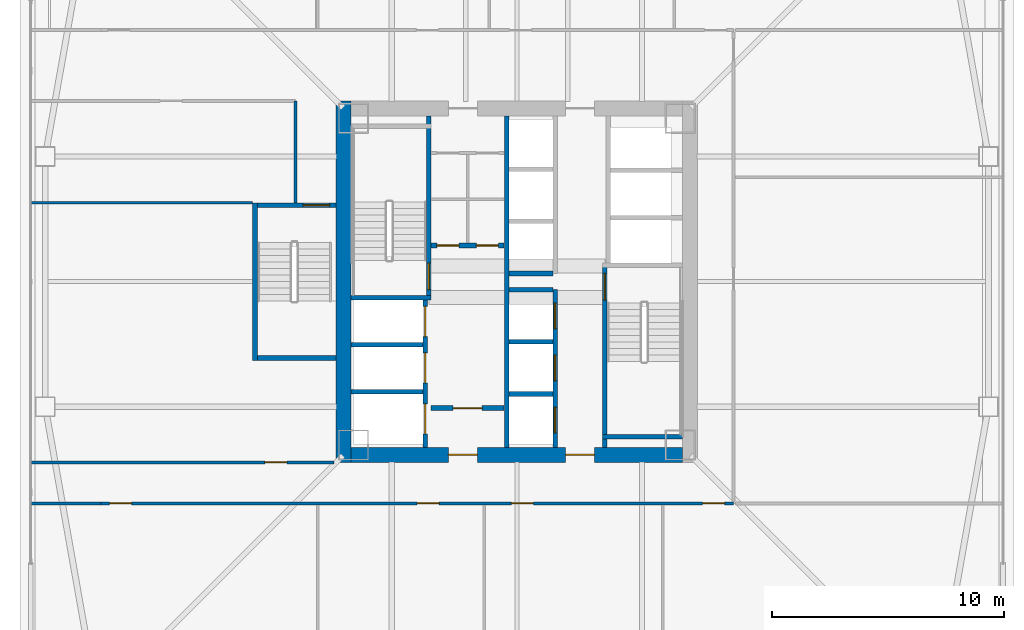
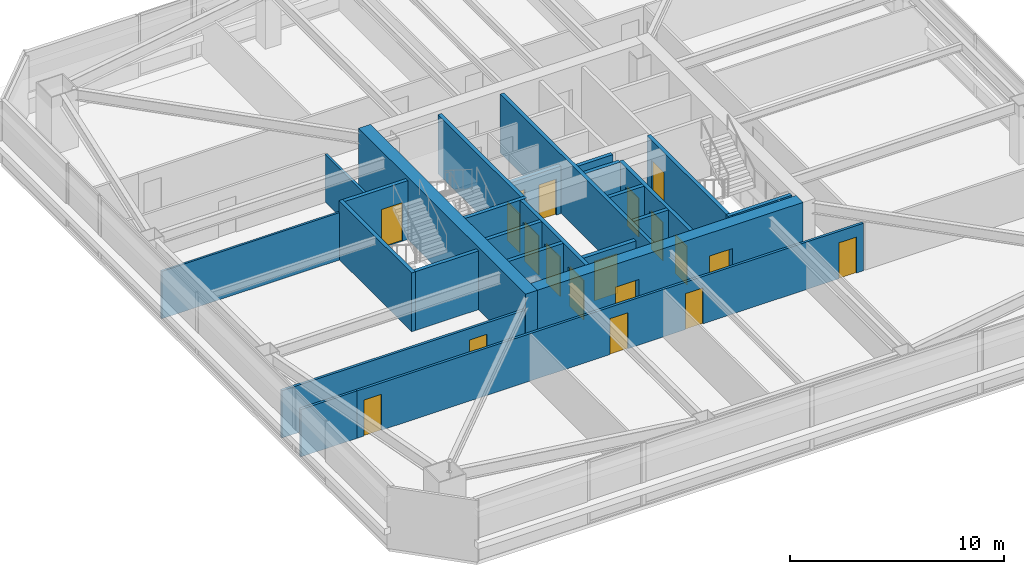
# One storey, part 33 of 44: 25 walls, 19 doors, 19 openings.
"""IFC4 building model written with IfcOpenShell, lengths in metres."""

from ifc_helpers import new_model, si_unit, direction, frame, frame_2d, origin, place, context, subcontext, project, spatial, rectangle, extrude, material, layer, layer_set, type_object, element, fill, save


model = new_model("IFC4")

# Units and contexts
model_context = context("Model", 3, precision=1e-05, world=origin(), true_north=direction((0.0, 1.0)))
body_context = subcontext(model_context, "Body", "Model", "MODEL_VIEW")
ifc_project = project(units=[si_unit("LENGTHUNIT", "METRE"), si_unit("AREAUNIT", "SQUARE_METRE"), si_unit("VOLUMEUNIT", "CUBIC_METRE"), si_unit("PLANEANGLEUNIT", "RADIAN"), si_unit("MASSUNIT", "GRAM", prefix="KILO")], contexts=[model_context])

# Site, building, storey
site_placement = place(None, origin())
site = spatial("IfcSite", under=ifc_project, at=site_placement, CompositionType="ELEMENT")
building_placement = place(site_placement, origin())
building = spatial("IfcBuilding", under=site, at=building_placement, Name="Tashvorn Skyway Center", CompositionType="ELEMENT")
storey_placement = place(building_placement, frame((0.0, 0.0, 74.300048828125)))
storey = spatial("IfcBuildingStorey", under=building, at=storey_placement, Name="L19", CompositionType="ELEMENT", Elevation=74.300048828125)

# Wall
ifc_material_1 = material(Name="Concrete C60/75", Category="concrete")
ifc_layer_1 = layer(ifc_material_1, 0.64990234375)
ifc_layer_set_1 = layer_set([ifc_layer_1], Name="Concrete C60/75")
wall_type_1 = type_object("IfcWallType", Name="WALL-CORE-650", PredefinedType="SHEAR", material=ifc_layer_set_1)
wall_1_placement = place(storey_placement, frame((34.52490234375, 24.199951171875, 0.0), z_axis=(0.0, 0.0, 1.0), x_axis=(0.0, 1.0, 0.0)))
element("IfcWall", 1, at=wall_1_placement, inside=storey, type_object=wall_type_1, Name="Tower 1 L19 West Core Shear Wall", PredefinedType="SHEAR", context=body_context, shape_type="SweptSolid", body=[
    extrude(rectangle(XDim=15.60009765625, YDim=0.64990234375, at=frame_2d((7.800048828125, 0.0))), origin(), (0.0, 0.0, 1.0), 3.550048828125),
])

# Wall, openings, doors
wall_2_placement = place(storey_placement, frame((49.14990234375, 24.52490234375, 0.0), z_axis=(0.0, 0.0, 1.0), x_axis=(-1.0, 0.0, 0.0)))
wall_2 = element("IfcWall", 2, at=wall_2_placement, inside=storey, type_object=wall_type_1, Name="Tower 1 L19 South Core Shear Wall", PredefinedType="SHEAR", context=body_context, shape_type="SweptSolid", body=[
    extrude(rectangle(XDim=14.2998046875, YDim=0.64990234375, at=frame_2d((7.14990234375, 0.0))), origin(), (0.0, 0.0, 1.0), 3.550048828125),
])
opening_1_placement = place(wall_2_placement, frame((8.85009765625, 0.0, 0.0)))
opening_1 = element("IfcOpeningElement", 3, at=opening_1_placement, cuts=wall_2, Name="Opening D-FFL-1250", PredefinedType="OPENING", context=body_context, shape_type="SweptSolid", body=[
    extrude(rectangle(XDim=1.25, YDim=2.25, at=frame_2d((0.625, 1.125))), frame((0.0, 0.3349609375, 0.0), z_axis=(0.0, -1.0, 0.0), x_axis=(1.0, 0.0, 0.0)), (0.0, 0.0, 1.0), 0.669921875),
])
opening_2_placement = place(wall_2_placement, frame((3.800048828125, 0.0, 0.0)))
opening_2 = element("IfcOpeningElement", 4, at=opening_2_placement, cuts=wall_2, Name="Opening D-FFL-1250", PredefinedType="OPENING", context=body_context, shape_type="SweptSolid", body=[
    extrude(rectangle(XDim=1.25, YDim=2.25, at=frame_2d((0.625, 1.125))), frame((0.0, 0.3349609375, 0.0), z_axis=(0.0, -1.0, 0.0), x_axis=(1.0, 0.0, 0.0)), (0.0, 0.0, 1.0), 0.669921875),
])
ifc_material_2 = material(Name="Hollow galvanized steel fire door assembly", Category="steel")
door_type_1 = type_object("IfcDoorType", Name="DOOR-FFL-1250", OperationType="NOTDEFINED", PredefinedType="DOOR", material=ifc_material_2)
door_1_placement = place(opening_1_placement, origin())
door_1 = element("IfcDoor", 5, at=door_1_placement, inside=storey, type_object=door_type_1, Name="Tower 1 L19 Core South Firefighting Exit Door", OperationType="SINGLE_SWING_LEFT", OverallHeight=2.25, OverallWidth=1.25, PredefinedType="DOOR", context=body_context, shape_type="SweptSolid", body=[
    extrude(rectangle(XDim=1.25, YDim=2.25, at=frame_2d((0.625, 1.125))), frame((0.0, 0.02490234375, 0.0), z_axis=(0.0, -1.0, 0.0), x_axis=(1.0, 0.0, 0.0)), (0.0, 0.0, 1.0), 0.050048828125),
])
fill(opening_1, door_1)
door_2_placement = place(opening_2_placement, origin())
door_2 = element("IfcDoor", 6, at=door_2_placement, inside=storey, type_object=door_type_1, Name="Tower 1 L19 Core South Lift Lobby Door", OperationType="SINGLE_SWING_RIGHT", OverallHeight=2.25, OverallWidth=1.25, PredefinedType="DOOR", context=body_context, shape_type="SweptSolid", body=[
    extrude(rectangle(XDim=1.25, YDim=2.25, at=frame_2d((0.625, 1.125))), frame((0.0, 0.02490234375, 0.0), z_axis=(0.0, -1.0, 0.0), x_axis=(1.0, 0.0, 0.0)), (0.0, 0.0, 1.0), 0.050048828125),
])
fill(opening_2, door_2)

ifc_material_3 = material(Name="Concrete C40/50", Category="concrete")
ifc_layer_2 = layer(ifc_material_3, 0.219970703125)
ifc_layer_set_2 = layer_set([ifc_layer_2], Name="Concrete C40/50")
wall_type_2 = type_object("IfcWallType", Name="WALL-FFL-220", PredefinedType="SOLIDWALL", material=ifc_layer_set_2)
wall_3_placement = place(storey_placement, frame((38.300048828125, 33.56005859375, 0.0), z_axis=(0.0, 0.0, 1.0), x_axis=(1.0, 0.0, 0.0)))
wall_3 = element("IfcWall", 7, at=wall_3_placement, inside=storey, type_object=wall_type_2, Name="Tower 1 L19 Firefighting Lobby North Wall", PredefinedType="SOLIDWALL", context=body_context, shape_type="SweptSolid", body=[
    extrude(rectangle(XDim=3.14990234375, YDim=0.219970703125, at=frame_2d((1.574951171875, 0.0))), origin(), (0.0, 0.0, 1.0), 2.702880859375),
])
opening_3_placement = place(wall_3_placement, frame((0.25, 0.0, 0.0)))
opening_3 = element("IfcOpeningElement", 8, at=opening_3_placement, cuts=wall_3, Name="Opening D-RT-950", PredefinedType="OPENING", context=body_context, shape_type="SweptSolid", body=[
    extrude(rectangle(XDim=0.949951171875, YDim=2.050048828125, at=frame_2d((0.47509765625, 1.02490234375))), frame((0.0, 0.119873046875, 0.0), z_axis=(0.0, -1.0, 0.0), x_axis=(1.0, 0.0, 0.0)), (0.0, 0.0, 1.0), 0.239990234375),
])
opening_4_placement = place(wall_3_placement, frame((1.949951171875, 0.0, 0.0)))
opening_4 = element("IfcOpeningElement", 9, at=opening_4_placement, cuts=wall_3, Name="Opening D-RT-950", PredefinedType="OPENING", context=body_context, shape_type="SweptSolid", body=[
    extrude(rectangle(XDim=0.949951171875, YDim=2.050048828125, at=frame_2d((0.47509765625, 1.02490234375))), frame((0.0, 0.119873046875, 0.0), z_axis=(0.0, -1.0, 0.0), x_axis=(1.0, 0.0, 0.0)), (0.0, 0.0, 1.0), 0.239990234375),
])
door_type_2 = type_object("IfcDoorType", Name="DOOR-RATED-950", OperationType="NOTDEFINED", PredefinedType="DOOR", material=ifc_material_2)
door_3_placement = place(opening_3_placement, origin())
door_3 = element("IfcDoor", 10, at=door_3_placement, inside=storey, type_object=door_type_2, Name="Tower 1 L19 Core Mail Room Door", OperationType="SINGLE_SWING_LEFT", OverallHeight=2.050048828125, OverallWidth=0.949951171875, PredefinedType="DOOR", context=body_context, shape_type="SweptSolid", body=[
    extrude(rectangle(XDim=0.949951171875, YDim=2.050048828125, at=frame_2d((0.47509765625, 1.02490234375))), frame((0.0, 0.02490234375, 0.0), z_axis=(0.0, -1.0, 0.0), x_axis=(1.0, 0.0, 0.0)), (0.0, 0.0, 1.0), 0.050048828125),
])
fill(opening_3, door_3)
door_4_placement = place(opening_4_placement, origin())
door_4 = element("IfcDoor", 11, at=door_4_placement, inside=storey, type_object=door_type_2, Name="Tower 1 L19 Core Supply Closet Door", OperationType="SINGLE_SWING_RIGHT", OverallHeight=2.050048828125, OverallWidth=0.949951171875, PredefinedType="DOOR", context=body_context, shape_type="SweptSolid", body=[
    extrude(rectangle(XDim=0.949951171875, YDim=2.050048828125, at=frame_2d((0.47509765625, 1.02490234375))), frame((0.0, 0.02490234375, 0.0), z_axis=(0.0, -1.0, 0.0), x_axis=(1.0, 0.0, 0.0)), (0.0, 0.0, 1.0), 0.050048828125),
])
fill(opening_4, door_4)

# Wall, opening, door
wall_4_placement = place(storey_placement, frame((38.300048828125, 26.5400390625, 0.0), z_axis=(0.0, 0.0, 1.0), x_axis=(1.0, 0.0, 0.0)))
wall_4 = element("IfcWall", 12, at=wall_4_placement, inside=storey, type_object=wall_type_2, Name="Tower 1 L19 Firefighting Lobby South Wall", PredefinedType="SOLIDWALL", context=body_context, shape_type="SweptSolid", body=[
    extrude(rectangle(XDim=3.14990234375, YDim=0.219970703125, at=frame_2d((1.574951171875, 0.0))), origin(), (0.0, 0.0, 1.0), 2.702880859375),
])
opening_5_placement = place(wall_4_placement, frame((0.949951171875, 0.0, 0.0)))
opening_5 = element("IfcOpeningElement", 13, at=opening_5_placement, cuts=wall_4, Name="Opening D-FFL-1250", PredefinedType="OPENING", context=body_context, shape_type="SweptSolid", body=[
    extrude(rectangle(XDim=1.25, YDim=2.25, at=frame_2d((0.625, 1.125))), frame((0.0, 0.119873046875, 0.0), z_axis=(0.0, -1.0, 0.0), x_axis=(1.0, 0.0, 0.0)), (0.0, 0.0, 1.0), 0.239990234375),
])
door_5_placement = place(opening_5_placement, origin())
door_5 = element("IfcDoor", 14, at=door_5_placement, inside=storey, type_object=door_type_1, Name="Tower 1 L19 Firefighting Lobby Egress Door", OperationType="SINGLE_SWING_LEFT", OverallHeight=2.25, OverallWidth=1.25, PredefinedType="DOOR", context=body_context, shape_type="SweptSolid", body=[
    extrude(rectangle(XDim=1.25, YDim=2.25, at=frame_2d((0.625, 1.125))), frame((0.0, 0.02490234375, 0.0), z_axis=(0.0, -1.0, 0.0), x_axis=(1.0, 0.0, 0.0)), (0.0, 0.0, 1.0), 0.050048828125),
])
fill(opening_5, door_5)

# Walls
ifc_material_4 = material(Name="Gypsum board on cold-formed steel stud framing", Category="steel")
ifc_layer_3 = layer(ifc_material_4, 0.110107421875)
ifc_layer_set_3 = layer_set([ifc_layer_3], Name="Gypsum board on cold-formed steel stud framing")
wall_type_3 = type_object("IfcWallType", Name="WALL-PART-110", PredefinedType="PARTITIONING", material=ifc_layer_set_3)
wall_5_placement = place(storey_placement, frame((30.60009765625, 35.39990234375, 0.0), z_axis=(0.0, 0.0, 1.0), x_axis=(-1.0, 0.0, 0.0)))
element("IfcWall", 15, at=wall_5_placement, inside=storey, type_object=wall_type_3, Name="Tower 1 L19 West Suite Partition 1", PredefinedType="PARTITIONING", context=body_context, shape_type="SweptSolid", body=[
    extrude(rectangle(XDim=9.580078125, YDim=0.110107421875, at=frame_2d((4.7900390625, 0.0))), origin(), (0.0, 0.0, 1.0), 2.702880859375),
])
ifc_layer_4 = layer(ifc_material_4, 0.135009765625)
ifc_layer_set_4 = layer_set([ifc_layer_4], Name="Gypsum board on cold-formed steel stud framing")
wall_type_4 = type_object("IfcWallType", Name="WALL-PART-135", PredefinedType="PARTITIONING", material=ifc_layer_set_4)
wall_6_placement = place(storey_placement, frame((32.449951171875, 35.39990234375, 0.0), z_axis=(0.0, 0.0, 1.0), x_axis=(0.0, 1.0, 0.0)))
element("IfcWall", 16, at=wall_6_placement, inside=storey, type_object=wall_type_4, Name="Tower 1 L19 Stair 3 Access Corridor Wall", PredefinedType="PARTITIONING", context=body_context, shape_type="SweptSolid", body=[
    extrude(rectangle(XDim=4.400146484375, YDim=0.135009765625, at=frame_2d((2.2001953125, 0.0))), origin(), (0.0, 0.0, 1.0), 2.702880859375),
])

# Wall, openings, doors
wall_7_placement = place(storey_placement, frame((51.35009765625, 22.429931640625, 0.0), z_axis=(0.0, 0.0, 1.0), x_axis=(-1.0, 0.0, 0.0)))
wall_7 = element("IfcWall", 17, at=wall_7_placement, inside=storey, type_object=wall_type_4, Name="Tower 1 L19 South Suite Wall", PredefinedType="PARTITIONING", context=body_context, shape_type="SweptSolid", body=[
    extrude(rectangle(XDim=27.300048828125, YDim=0.135009765625, at=frame_2d((13.64990234375, 0.0))), origin(), (0.0, 0.0, 1.0), 2.702880859375),
])
opening_6_placement = place(wall_7_placement, frame((25.969970703125, 0.0, 0.0)))
opening_6 = element("IfcOpeningElement", 18, at=opening_6_placement, cuts=wall_7, Name="Opening D-INT-950", PredefinedType="OPENING", context=body_context, shape_type="SweptSolid", body=[
    extrude(rectangle(XDim=0.949951171875, YDim=2.050048828125, at=frame_2d((0.47509765625, 1.02490234375))), frame((0.0, 0.077392578125, 0.0), z_axis=(0.0, -1.0, 0.0), x_axis=(1.0, 0.0, 0.0)), (0.0, 0.0, 1.0), 0.155029296875),
])
opening_7_placement = place(wall_7_placement, frame((12.698486328125, 0.0, 0.0)))
opening_7 = element("IfcOpeningElement", 19, at=opening_7_placement, cuts=wall_7, Name="Opening D-INT-950", PredefinedType="OPENING", context=body_context, shape_type="SweptSolid", body=[
    extrude(rectangle(XDim=0.949951171875, YDim=2.050048828125, at=frame_2d((0.47509765625, 1.02490234375))), frame((0.0, 0.077392578125, 0.0), z_axis=(0.0, -1.0, 0.0), x_axis=(1.0, 0.0, 0.0)), (0.0, 0.0, 1.0), 0.155029296875),
])
opening_8_placement = place(wall_7_placement, frame((8.638671875, 0.0, 0.0)))
opening_8 = element("IfcOpeningElement", 20, at=opening_8_placement, cuts=wall_7, Name="Opening D-INT-950", PredefinedType="OPENING", context=body_context, shape_type="SweptSolid", body=[
    extrude(rectangle(XDim=0.949951171875, YDim=2.050048828125, at=frame_2d((0.47509765625, 1.02490234375))), frame((0.0, 0.077392578125, 0.0), z_axis=(0.0, -1.0, 0.0), x_axis=(1.0, 0.0, 0.0)), (0.0, 0.0, 1.0), 0.155029296875),
])
opening_9_placement = place(wall_7_placement, frame((0.3798828125, 0.0, 0.0)))
opening_9 = element("IfcOpeningElement", 21, at=opening_9_placement, cuts=wall_7, Name="Opening D-INT-950", PredefinedType="OPENING", context=body_context, shape_type="SweptSolid", body=[
    extrude(rectangle(XDim=0.949951171875, YDim=2.050048828125, at=frame_2d((0.47509765625, 1.02490234375))), frame((0.0, 0.077392578125, 0.0), z_axis=(0.0, -1.0, 0.0), x_axis=(1.0, 0.0, 0.0)), (0.0, 0.0, 1.0), 0.155029296875),
])
ifc_material_5 = material(Name="Solid-core architectural oak veneer door")
door_type_3 = type_object("IfcDoorType", Name="DOOR-INT-950", OperationType="NOTDEFINED", PredefinedType="DOOR", material=ifc_material_5)
door_6_placement = place(opening_6_placement, origin())
door_6 = element("IfcDoor", 22, at=door_6_placement, inside=storey, type_object=door_type_3, Name="Tower 1 L19 Conference Room Door", OperationType="SINGLE_SWING_RIGHT", OverallHeight=2.050048828125, OverallWidth=0.949951171875, PredefinedType="DOOR", context=body_context, shape_type="SweptSolid", body=[
    extrude(rectangle(XDim=0.949951171875, YDim=2.050048828125, at=frame_2d((0.47509765625, 1.02490234375))), frame((0.0, 0.02490234375, 0.0), z_axis=(0.0, -1.0, 0.0), x_axis=(1.0, 0.0, 0.0)), (0.0, 0.0, 1.0), 0.050048828125),
])
fill(opening_6, door_6)
door_7_placement = place(opening_7_placement, origin())
door_7 = element("IfcDoor", 23, at=door_7_placement, inside=storey, type_object=door_type_3, Name="Tower 1 L19 Boardroom Door", OperationType="SINGLE_SWING_LEFT", OverallHeight=2.050048828125, OverallWidth=0.949951171875, PredefinedType="DOOR", context=body_context, shape_type="SweptSolid", body=[
    extrude(rectangle(XDim=0.949951171875, YDim=2.050048828125, at=frame_2d((0.47509765625, 1.02490234375))), frame((0.0, 0.02490234375, 0.0), z_axis=(0.0, -1.0, 0.0), x_axis=(1.0, 0.0, 0.0)), (0.0, 0.0, 1.0), 0.050048828125),
])
fill(opening_7, door_7)
door_8_placement = place(opening_8_placement, origin())
door_8 = element("IfcDoor", 24, at=door_8_placement, inside=storey, type_object=door_type_3, Name="Tower 1 L19 Boardroom Door", OperationType="SINGLE_SWING_RIGHT", OverallHeight=2.050048828125, OverallWidth=0.949951171875, PredefinedType="DOOR", context=body_context, shape_type="SweptSolid", body=[
    extrude(rectangle(XDim=0.949951171875, YDim=2.050048828125, at=frame_2d((0.47509765625, 1.02490234375))), frame((0.0, 0.02490234375, 0.0), z_axis=(0.0, -1.0, 0.0), x_axis=(1.0, 0.0, 0.0)), (0.0, 0.0, 1.0), 0.050048828125),
])
fill(opening_8, door_8)
door_9_placement = place(opening_9_placement, origin())
door_9 = element("IfcDoor", 25, at=door_9_placement, inside=storey, type_object=door_type_3, Name="Tower 1 L19 Catering Pantry Door", OperationType="SINGLE_SWING_LEFT", OverallHeight=2.050048828125, OverallWidth=0.949951171875, PredefinedType="DOOR", context=body_context, shape_type="SweptSolid", body=[
    extrude(rectangle(XDim=0.949951171875, YDim=2.050048828125, at=frame_2d((0.47509765625, 1.02490234375))), frame((0.0, 0.02490234375, 0.0), z_axis=(0.0, -1.0, 0.0), x_axis=(1.0, 0.0, 0.0)), (0.0, 0.0, 1.0), 0.050048828125),
])
fill(opening_9, door_9)

# Wall
wall_8_placement = place(storey_placement, frame((21.02001953125, 22.429931640625, 0.0), z_axis=(0.0, 0.0, 1.0), x_axis=(1.0, 0.0, 0.0)))
element("IfcWall", 26, at=wall_8_placement, inside=storey, type_object=wall_type_4, Name="Tower 1 L19 South-West Suite North Wall", PredefinedType="PARTITIONING", context=body_context, shape_type="SweptSolid", body=[
    extrude(rectangle(XDim=3.030029296875, YDim=0.135009765625, at=frame_2d((1.51513671875, 0.0))), origin(), (0.0, 0.0, 1.0), 2.702880859375),
])

# Wall, opening, door
wall_9_placement = place(storey_placement, frame((21.02001953125, 24.199951171875, 0.0), z_axis=(0.0, 0.0, 1.0), x_axis=(1.0, 0.0, 0.0)))
wall_9 = element("IfcWall", 27, at=wall_9_placement, inside=storey, type_object=wall_type_4, Name="Tower 1 L19 West Suite South Wall", PredefinedType="PARTITIONING", context=body_context, shape_type="SweptSolid", body=[
    extrude(rectangle(XDim=13.10009765625, YDim=0.135009765625, at=frame_2d((6.550048828125, 0.0))), origin(), (0.0, 0.0, 1.0), 2.702880859375),
])
opening_10_placement = place(wall_9_placement, frame((10.10498046875, 0.0, 0.0)))
opening_10 = element("IfcOpeningElement", 28, at=opening_10_placement, cuts=wall_9, Name="Opening D-INT-950", PredefinedType="OPENING", context=body_context, shape_type="SweptSolid", body=[
    extrude(rectangle(XDim=0.949951171875, YDim=2.050048828125, at=frame_2d((0.47509765625, 1.02490234375))), frame((0.0, 0.077392578125, 0.0), z_axis=(0.0, -1.0, 0.0), x_axis=(1.0, 0.0, 0.0)), (0.0, 0.0, 1.0), 0.155029296875),
])
door_10_placement = place(opening_10_placement, origin())
door_10 = element("IfcDoor", 29, at=door_10_placement, inside=storey, type_object=door_type_3, Name="Tower 1 L19 Public Restroom Door", OperationType="SINGLE_SWING_LEFT", OverallHeight=2.050048828125, OverallWidth=0.949951171875, PredefinedType="DOOR", context=body_context, shape_type="SweptSolid", body=[
    extrude(rectangle(XDim=0.949951171875, YDim=2.050048828125, at=frame_2d((0.47509765625, 1.02490234375))), frame((0.0, 0.02490234375, 0.0), z_axis=(0.0, -1.0, 0.0), x_axis=(1.0, 0.0, 0.0)), (0.0, 0.0, 1.0), 0.050048828125),
])
fill(opening_10, door_10)

# Walls
ifc_layer_5 = layer(ifc_material_3, 0.199951171875)
ifc_layer_set_5 = layer_set([ifc_layer_5], Name="Concrete C40/50")
wall_type_5 = type_object("IfcWallType", Name="WALL-SHAFT-200", PredefinedType="SOLIDWALL", material=ifc_layer_set_5)
for number, where, z_axis, x_axis, name in (
    (30, (34.85009765625, 27.25, 0.0), (0.0, 0.0, 1.0), (1.0, 0.0, 0.0), "Tower 1 L19 FSAE Shaft Divider"),
    (31, (34.85009765625, 29.280029296875, 0.0), (0.0, 0.0, 1.0), (1.0, 0.0, 0.0), "Tower 1 L19 FSAE Shaft Divider"),
):
    element("IfcWall", number, at=place(storey_placement, frame(where, z_axis=z_axis, x_axis=x_axis)), inside=storey, type_object=wall_type_5, Name=name, PredefinedType="SOLIDWALL", context=body_context, shape_type="SweptSolid", body=[
        extrude(rectangle(XDim=3.099853515625, YDim=0.199951171875, at=frame_2d((1.5498046875, 0.0))), origin(), (0.0, 0.0, 1.0), 3.349853515625),
    ])

# Wall, openings, doors
wall_10_placement = place(storey_placement, frame((43.64990234375, 24.85009765625, 0.0), z_axis=(0.0, 0.0, 1.0), x_axis=(0.0, 1.0, 0.0)))
wall_10 = element("IfcWall", 32, at=wall_10_placement, inside=storey, type_object=wall_type_5, Name="Tower 1 L19 Low-Rise Core Wall", PredefinedType="SOLIDWALL", context=body_context, shape_type="SweptSolid", body=[
    extrude(rectangle(XDim=6.7998046875, YDim=0.199951171875, at=frame_2d((3.39990234375, 0.0))), origin(), (0.0, 0.0, 1.0), 3.349853515625),
])
opening_11_placement = place(wall_10_placement, frame((0.625, 0.0, 0.0)))
opening_11 = element("IfcOpeningElement", 33, at=opening_11_placement, cuts=wall_10, Name="Opening LD-LR-T1-1-L19", PredefinedType="OPENING", context=body_context, shape_type="SweptSolid", body=[
    extrude(rectangle(XDim=1.10009765625, YDim=2.199951171875, at=frame_2d((0.550048828125, 1.10009765625))), frame((0.0, 0.10986328125, 0.0), z_axis=(0.0, -1.0, 0.0), x_axis=(1.0, 0.0, 0.0)), (0.0, 0.0, 1.0), 0.219970703125),
])
opening_12_placement = place(wall_10_placement, frame((2.875, 0.0, 0.0)))
opening_12 = element("IfcOpeningElement", 34, at=opening_12_placement, cuts=wall_10, Name="Opening LD-LR-T1-2-L19", PredefinedType="OPENING", context=body_context, shape_type="SweptSolid", body=[
    extrude(rectangle(XDim=1.10009765625, YDim=2.199951171875, at=frame_2d((0.550048828125, 1.10009765625))), frame((0.0, 0.10986328125, 0.0), z_axis=(0.0, -1.0, 0.0), x_axis=(1.0, 0.0, 0.0)), (0.0, 0.0, 1.0), 0.219970703125),
])
opening_13_placement = place(wall_10_placement, frame((5.125, 0.0, 0.0)))
opening_13 = element("IfcOpeningElement", 35, at=opening_13_placement, cuts=wall_10, Name="Opening LD-LR-T1-3-L19", PredefinedType="OPENING", context=body_context, shape_type="SweptSolid", body=[
    extrude(rectangle(XDim=1.10009765625, YDim=2.199951171875, at=frame_2d((0.550048828125, 1.10009765625))), frame((0.0, 0.10986328125, 0.0), z_axis=(0.0, -1.0, 0.0), x_axis=(1.0, 0.0, 0.0)), (0.0, 0.0, 1.0), 0.219970703125),
])
ifc_material_6 = material(Name="Stainless steel landing door", Category="steel")
door_type_4 = type_object("IfcDoorType", Name="DOOR-LIFT-1100", OperationType="SLIDING_TO_LEFT", PredefinedType="DOOR", material=ifc_material_6)
door_11_placement = place(opening_11_placement, origin())
door_11 = element("IfcDoor", 36, at=door_11_placement, inside=storey, type_object=door_type_4, Name="Lift LR-T1-1 L19 Landing Door", OperationType="SLIDING_TO_LEFT", OverallHeight=2.199951171875, OverallWidth=1.10009765625, PredefinedType="DOOR", context=body_context, shape_type="SweptSolid", body=[
    extrude(rectangle(XDim=1.10009765625, YDim=2.199951171875, at=frame_2d((0.550048828125, 1.10009765625))), frame((0.0, 0.02490234375, 0.0), z_axis=(0.0, -1.0, 0.0), x_axis=(1.0, 0.0, 0.0)), (0.0, 0.0, 1.0), 0.050048828125),
])
fill(opening_11, door_11)
door_12_placement = place(opening_12_placement, origin())
door_12 = element("IfcDoor", 37, at=door_12_placement, inside=storey, type_object=door_type_4, Name="Lift LR-T1-2 L19 Landing Door", OperationType="SLIDING_TO_LEFT", OverallHeight=2.199951171875, OverallWidth=1.10009765625, PredefinedType="DOOR", context=body_context, shape_type="SweptSolid", body=[
    extrude(rectangle(XDim=1.10009765625, YDim=2.199951171875, at=frame_2d((0.550048828125, 1.10009765625))), frame((0.0, 0.02490234375, 0.0), z_axis=(0.0, -1.0, 0.0), x_axis=(1.0, 0.0, 0.0)), (0.0, 0.0, 1.0), 0.050048828125),
])
fill(opening_12, door_12)
door_13_placement = place(opening_13_placement, origin())
door_13 = element("IfcDoor", 38, at=door_13_placement, inside=storey, type_object=door_type_4, Name="Lift LR-T1-3 L19 Landing Door", OperationType="SLIDING_TO_LEFT", OverallHeight=2.199951171875, OverallWidth=1.10009765625, PredefinedType="DOOR", context=body_context, shape_type="SweptSolid", body=[
    extrude(rectangle(XDim=1.10009765625, YDim=2.199951171875, at=frame_2d((0.550048828125, 1.10009765625))), frame((0.0, 0.02490234375, 0.0), z_axis=(0.0, -1.0, 0.0), x_axis=(1.0, 0.0, 0.0)), (0.0, 0.0, 1.0), 0.050048828125),
])
fill(opening_13, door_13)

# Walls
for number, where, z_axis, x_axis, name in (
    (39, (41.669921875, 27.14990234375, 0.0), (0.0, 0.0, 1.0), (1.0, 0.0, 0.0), "Tower 1 L19 Low-Rise Shaft Divider"),
    (40, (41.669921875, 29.39990234375, 0.0), (0.0, 0.0, 1.0), (1.0, 0.0, 0.0), "Tower 1 L19 Low-Rise Shaft Divider"),
    (41, (41.669921875, 31.64990234375, 0.0), (0.0, 0.0, 1.0), (1.0, 0.0, 0.0), "Tower 1 L19 Low-Rise Shaft Divider"),
    (42, (41.669921875, 32.35009765625, 0.0), (0.0, 0.0, 1.0), (1.0, 0.0, 0.0), "Tower 1 L19 Mid-Rise Shaft Divider"),
):
    element("IfcWall", number, at=place(storey_placement, frame(where, z_axis=z_axis, x_axis=x_axis)), inside=storey, type_object=wall_type_5, Name=name, PredefinedType="SOLIDWALL", context=body_context, shape_type="SweptSolid", body=[
        extrude(rectangle(XDim=1.880126953125, YDim=0.199951171875, at=frame_2d((0.93994140625, 0.0))), origin(), (0.0, 0.0, 1.0), 3.349853515625),
    ])

# Wall, opening, door
ifc_layer_6 = layer(ifc_material_3, 0.199951171875)
ifc_layer_set_6 = layer_set([ifc_layer_6], Name="Concrete C40/50")
wall_type_6 = type_object("IfcWallType", Name="WALL-STSHF-200", PredefinedType="SHEAR", material=ifc_layer_set_6)
wall_11_placement = place(storey_placement, frame((38.199951171875, 31.199951171875, 0.0), z_axis=(0.0, 0.0, 1.0), x_axis=(0.0, 1.0, 0.0)))
wall_11 = element("IfcWall", 43, at=wall_11_placement, inside=storey, type_object=wall_type_6, Name="Tower 1 L19 Stair 1 Enclosure Wall", PredefinedType="SHEAR", context=body_context, shape_type="SweptSolid", body=[
    extrude(rectangle(XDim=7.949951171875, YDim=0.199951171875, at=frame_2d((3.97509765625, 0.0))), origin(), (0.0, 0.0, 1.0), 3.349853515625),
])
opening_14_placement = place(wall_11_placement, frame((0.449951171875, 0.0, 0.0)))
opening_14 = element("IfcOpeningElement", 44, at=opening_14_placement, cuts=wall_11, Name="Opening D-ST-1150", PredefinedType="OPENING", context=body_context, shape_type="SweptSolid", body=[
    extrude(rectangle(XDim=1.14990234375, YDim=2.199951171875, at=frame_2d((0.574951171875, 1.10009765625))), frame((0.0, 0.10986328125, 0.0), z_axis=(0.0, -1.0, 0.0), x_axis=(1.0, 0.0, 0.0)), (0.0, 0.0, 1.0), 0.219970703125),
])
door_type_5 = type_object("IfcDoorType", Name="DOOR-STAIR-1150", OperationType="NOTDEFINED", PredefinedType="DOOR", material=ifc_material_2)
door_14_placement = place(opening_14_placement, origin())
door_14 = element("IfcDoor", 45, at=door_14_placement, inside=storey, type_object=door_type_5, Name="Tower 1 L19 Exit Stair 1 Door", OperationType="SINGLE_SWING_RIGHT", OverallHeight=2.199951171875, OverallWidth=1.14990234375, PredefinedType="DOOR", context=body_context, shape_type="SweptSolid", body=[
    extrude(rectangle(XDim=1.14990234375, YDim=2.199951171875, at=frame_2d((0.574951171875, 1.10009765625))), frame((0.0, 0.02490234375, 0.0), z_axis=(0.0, -1.0, 0.0), x_axis=(1.0, 0.0, 0.0)), (0.0, 0.0, 1.0), 0.050048828125),
])
fill(opening_14, door_14)

# Wall
wall_12_placement = place(storey_placement, frame((34.85009765625, 31.300048828125, 0.0), z_axis=(0.0, 0.0, 1.0), x_axis=(1.0, 0.0, 0.0)))
element("IfcWall", 46, at=wall_12_placement, inside=storey, type_object=wall_type_6, Name="Tower 1 L19 Stair 1 South Wall", PredefinedType="SHEAR", context=body_context, shape_type="SweptSolid", body=[
    extrude(rectangle(XDim=3.449951171875, YDim=0.199951171875, at=frame_2d((1.72509765625, 0.0))), origin(), (0.0, 0.0, 1.0), 3.349853515625),
])

# Wall, opening, door
wall_13_placement = place(storey_placement, frame((45.800048828125, 32.800048828125, 0.0), z_axis=(0.0, 0.0, 1.0), x_axis=(0.0, -1.0, 0.0)))
wall_13 = element("IfcWall", 47, at=wall_13_placement, inside=storey, type_object=wall_type_6, Name="Tower 1 L19 Stair 2 Enclosure Wall", PredefinedType="SHEAR", context=body_context, shape_type="SweptSolid", body=[
    extrude(rectangle(XDim=7.949951171875, YDim=0.199951171875, at=frame_2d((3.97509765625, 0.0))), origin(), (0.0, 0.0, 1.0), 3.349853515625),
])
opening_15_placement = place(wall_13_placement, frame((0.449951171875, 0.0, 0.0)))
opening_15 = element("IfcOpeningElement", 48, at=opening_15_placement, cuts=wall_13, Name="Opening D-ST-1150", PredefinedType="OPENING", context=body_context, shape_type="SweptSolid", body=[
    extrude(rectangle(XDim=1.14990234375, YDim=2.199951171875, at=frame_2d((0.574951171875, 1.10009765625))), frame((0.0, 0.10986328125, 0.0), z_axis=(0.0, -1.0, 0.0), x_axis=(1.0, 0.0, 0.0)), (0.0, 0.0, 1.0), 0.219970703125),
])
door_15_placement = place(opening_15_placement, origin())
door_15 = element("IfcDoor", 49, at=door_15_placement, inside=storey, type_object=door_type_5, Name="Tower 1 L19 Exit Stair 2 Door", OperationType="SINGLE_SWING_RIGHT", OverallHeight=2.199951171875, OverallWidth=1.14990234375, PredefinedType="DOOR", context=body_context, shape_type="SweptSolid", body=[
    extrude(rectangle(XDim=1.14990234375, YDim=2.199951171875, at=frame_2d((0.574951171875, 1.10009765625))), frame((0.0, 0.02490234375, 0.0), z_axis=(0.0, -1.0, 0.0), x_axis=(1.0, 0.0, 0.0)), (0.0, 0.0, 1.0), 0.050048828125),
])
fill(opening_15, door_15)

# Walls
wall_14_placement = place(storey_placement, frame((45.699951171875, 25.300048828125, 0.0), z_axis=(0.0, 0.0, 1.0), x_axis=(1.0, 0.0, 0.0)))
element("IfcWall", 50, at=wall_14_placement, inside=storey, type_object=wall_type_6, Name="Tower 1 L19 Stair 2 South Wall", PredefinedType="SHEAR", context=body_context, shape_type="SweptSolid", body=[
    extrude(rectangle(XDim=3.449951171875, YDim=0.199951171875, at=frame_2d((1.72509765625, 0.0))), origin(), (0.0, 0.0, 1.0), 3.349853515625),
])
wall_15_placement = place(storey_placement, frame((41.56005859375, 24.85009765625, 0.0), z_axis=(0.0, 0.0, 1.0), x_axis=(0.0, 1.0, 0.0)))
element("IfcWall", 51, at=wall_15_placement, inside=storey, type_object=wall_type_6, Name="Tower 1 L19 Firefighting Lobby East Smoke Barrier", PredefinedType="SHEAR", context=body_context, shape_type="SweptSolid", body=[
    extrude(rectangle(XDim=14.2998046875, YDim=0.199951171875, at=frame_2d((7.14990234375, 0.0))), origin(), (0.0, 0.0, 1.0), 3.349853515625),
])

# Wall, openings, doors
wall_16_placement = place(storey_placement, frame((38.050048828125, 24.85009765625, 0.0), z_axis=(0.0, 0.0, 1.0), x_axis=(0.0, 1.0, 0.0)))
wall_16 = element("IfcWall", 52, at=wall_16_placement, inside=storey, type_object=wall_type_6, Name="Tower 1 L19 FSAE and Goods Shaft Front Wall", PredefinedType="SHEAR", context=body_context, shape_type="SweptSolid", body=[
    extrude(rectangle(XDim=6.349853515625, YDim=0.199951171875, at=frame_2d((3.1748046875, 0.0))), origin(), (0.0, 0.0, 1.0), 3.349853515625),
])
opening_16_placement = place(wall_16_placement, frame((4.77490234375, 0.0, 0.0)))
opening_16 = element("IfcOpeningElement", 53, at=opening_16_placement, cuts=wall_16, Name="Opening LD-FF-T1-1-L19", PredefinedType="OPENING", context=body_context, shape_type="SweptSolid", body=[
    extrude(rectangle(XDim=1.300048828125, YDim=2.25, at=frame_2d((0.64990234375, 1.125))), frame((0.0, 0.10986328125, 0.0), z_axis=(0.0, -1.0, 0.0), x_axis=(1.0, 0.0, 0.0)), (0.0, 0.0, 1.0), 0.219970703125),
])
opening_17_placement = place(wall_16_placement, frame((2.77490234375, 0.0, 0.0)))
opening_17 = element("IfcOpeningElement", 54, at=opening_17_placement, cuts=wall_16, Name="Opening LD-FF-T1-2-L19", PredefinedType="OPENING", context=body_context, shape_type="SweptSolid", body=[
    extrude(rectangle(XDim=1.300048828125, YDim=2.25, at=frame_2d((0.64990234375, 1.125))), frame((0.0, 0.10986328125, 0.0), z_axis=(0.0, -1.0, 0.0), x_axis=(1.0, 0.0, 0.0)), (0.0, 0.0, 1.0), 0.219970703125),
])
opening_18_placement = place(wall_16_placement, frame((0.574951171875, 0.0, 0.0)))
opening_18 = element("IfcOpeningElement", 55, at=opening_18_placement, cuts=wall_16, Name="Opening LD-GD-T1-1-L19", PredefinedType="OPENING", context=body_context, shape_type="SweptSolid", body=[
    extrude(rectangle(XDim=1.300048828125, YDim=2.25, at=frame_2d((0.64990234375, 1.125))), frame((0.0, 0.10986328125, 0.0), z_axis=(0.0, -1.0, 0.0), x_axis=(1.0, 0.0, 0.0)), (0.0, 0.0, 1.0), 0.219970703125),
])
ifc_material_7 = material(Name="Stainless steel heavy-duty landing door", Category="steel")
door_type_6 = type_object("IfcDoorType", Name="DOOR-LIFT-1300", OperationType="SLIDING_TO_LEFT", PredefinedType="DOOR", material=ifc_material_7)
door_16_placement = place(opening_16_placement, origin())
door_16 = element("IfcDoor", 56, at=door_16_placement, inside=storey, type_object=door_type_6, Name="Lift FF-T1-1 L19 Landing Door", OperationType="SLIDING_TO_LEFT", OverallHeight=2.25, OverallWidth=1.300048828125, PredefinedType="DOOR", context=body_context, shape_type="SweptSolid", body=[
    extrude(rectangle(XDim=1.300048828125, YDim=2.25, at=frame_2d((0.64990234375, 1.125))), frame((0.0, 0.02490234375, 0.0), z_axis=(0.0, -1.0, 0.0), x_axis=(1.0, 0.0, 0.0)), (0.0, 0.0, 1.0), 0.050048828125),
])
fill(opening_16, door_16)
door_17_placement = place(opening_17_placement, origin())
door_17 = element("IfcDoor", 57, at=door_17_placement, inside=storey, type_object=door_type_6, Name="Lift FF-T1-2 L19 Landing Door", OperationType="SLIDING_TO_LEFT", OverallHeight=2.25, OverallWidth=1.300048828125, PredefinedType="DOOR", context=body_context, shape_type="SweptSolid", body=[
    extrude(rectangle(XDim=1.300048828125, YDim=2.25, at=frame_2d((0.64990234375, 1.125))), frame((0.0, 0.02490234375, 0.0), z_axis=(0.0, -1.0, 0.0), x_axis=(1.0, 0.0, 0.0)), (0.0, 0.0, 1.0), 0.050048828125),
])
fill(opening_17, door_17)
door_18_placement = place(opening_18_placement, origin())
door_18 = element("IfcDoor", 58, at=door_18_placement, inside=storey, type_object=door_type_6, Name="Lift GD-T1-1 L19 Landing Door", OperationType="SLIDING_TO_LEFT", OverallHeight=2.25, OverallWidth=1.300048828125, PredefinedType="DOOR", context=body_context, shape_type="SweptSolid", body=[
    extrude(rectangle(XDim=1.300048828125, YDim=2.25, at=frame_2d((0.64990234375, 1.125))), frame((0.0, 0.02490234375, 0.0), z_axis=(0.0, -1.0, 0.0), x_axis=(1.0, 0.0, 0.0)), (0.0, 0.0, 1.0), 0.050048828125),
])
fill(opening_18, door_18)

# Wall
wall_17_placement = place(storey_placement, frame((30.699951171875, 28.60009765625, 0.0), z_axis=(0.0, 0.0, 1.0), x_axis=(0.0, 1.0, 0.0)))
element("IfcWall", 59, at=wall_17_placement, inside=storey, type_object=wall_type_6, Name="Tower 1 L19 Stair 3 Outer Wall", PredefinedType="SHEAR", context=body_context, shape_type="SweptSolid", body=[
    extrude(rectangle(XDim=6.7998046875, YDim=0.199951171875, at=frame_2d((3.39990234375, 0.0))), origin(), (0.0, 0.0, 1.0), 3.349853515625),
])

# Wall, opening, door
wall_18_placement = place(storey_placement, frame((34.199951171875, 35.300048828125, 0.0), z_axis=(0.0, 0.0, 1.0), x_axis=(-1.0, 0.0, 0.0)))
wall_18 = element("IfcWall", 60, at=wall_18_placement, inside=storey, type_object=wall_type_6, Name="Tower 1 L19 Stair 3 Enclosure Wall", PredefinedType="SHEAR", context=body_context, shape_type="SweptSolid", body=[
    extrude(rectangle(XDim=3.39990234375, YDim=0.199951171875, at=frame_2d((1.699951171875, 0.0))), origin(), (0.0, 0.0, 1.0), 3.349853515625),
])
opening_19_placement = place(wall_18_placement, frame((0.27490234375, 0.0, 0.0)))
opening_19 = element("IfcOpeningElement", 61, at=opening_19_placement, cuts=wall_18, Name="Opening D-ST-1150", PredefinedType="OPENING", context=body_context, shape_type="SweptSolid", body=[
    extrude(rectangle(XDim=1.14990234375, YDim=2.199951171875, at=frame_2d((0.574951171875, 1.10009765625))), frame((0.0, 0.10986328125, 0.0), z_axis=(0.0, -1.0, 0.0), x_axis=(1.0, 0.0, 0.0)), (0.0, 0.0, 1.0), 0.219970703125),
])
door_19_placement = place(opening_19_placement, origin())
door_19 = element("IfcDoor", 62, at=door_19_placement, inside=storey, type_object=door_type_5, Name="Tower 1 L19 Exit Stair 3 Door", OperationType="SINGLE_SWING_RIGHT", OverallHeight=2.199951171875, OverallWidth=1.14990234375, PredefinedType="DOOR", context=body_context, shape_type="SweptSolid", body=[
    extrude(rectangle(XDim=1.14990234375, YDim=2.199951171875, at=frame_2d((0.574951171875, 1.10009765625))), frame((0.0, 0.02490234375, 0.0), z_axis=(0.0, -1.0, 0.0), x_axis=(1.0, 0.0, 0.0)), (0.0, 0.0, 1.0), 0.050048828125),
])
fill(opening_19, door_19)

# Wall
wall_19_placement = place(storey_placement, frame((30.800048828125, 28.699951171875, 0.0), z_axis=(0.0, 0.0, 1.0), x_axis=(1.0, 0.0, 0.0)))
element("IfcWall", 63, at=wall_19_placement, inside=storey, type_object=wall_type_6, Name="Tower 1 L19 Stair 3 South Wall", PredefinedType="SHEAR", context=body_context, shape_type="SweptSolid", body=[
    extrude(rectangle(XDim=3.39990234375, YDim=0.199951171875, at=frame_2d((1.699951171875, 0.0))), origin(), (0.0, 0.0, 1.0), 3.349853515625),
])

save(model, "model.ifc")
